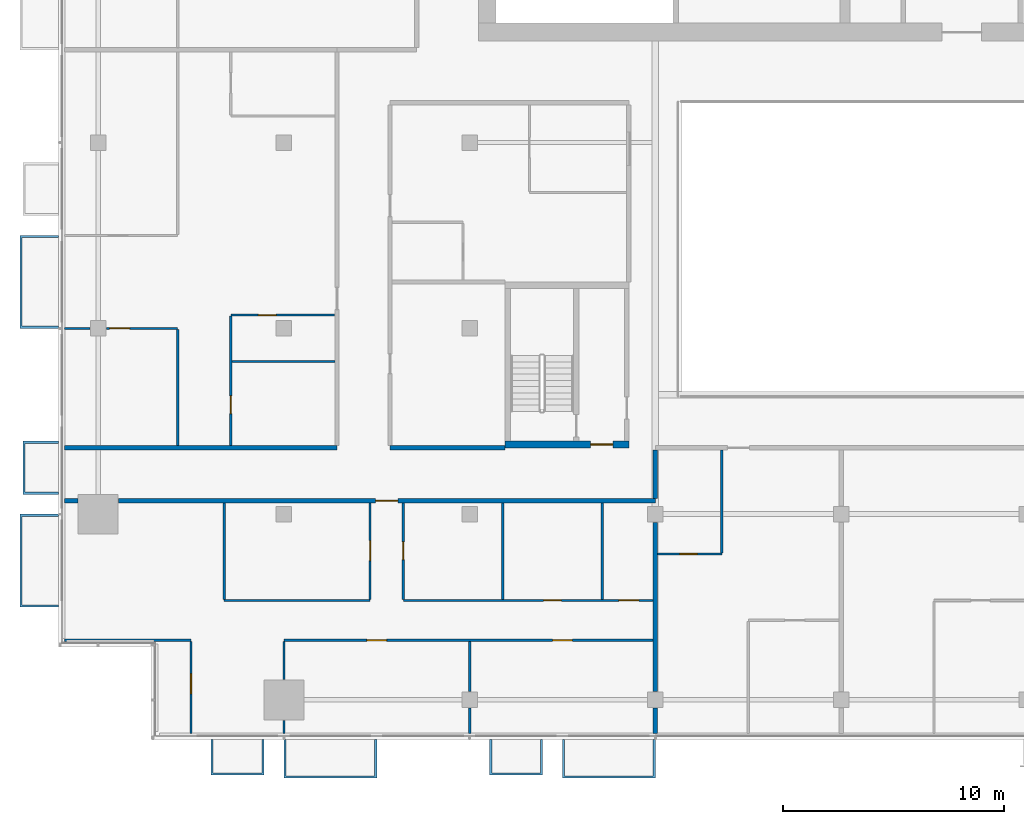
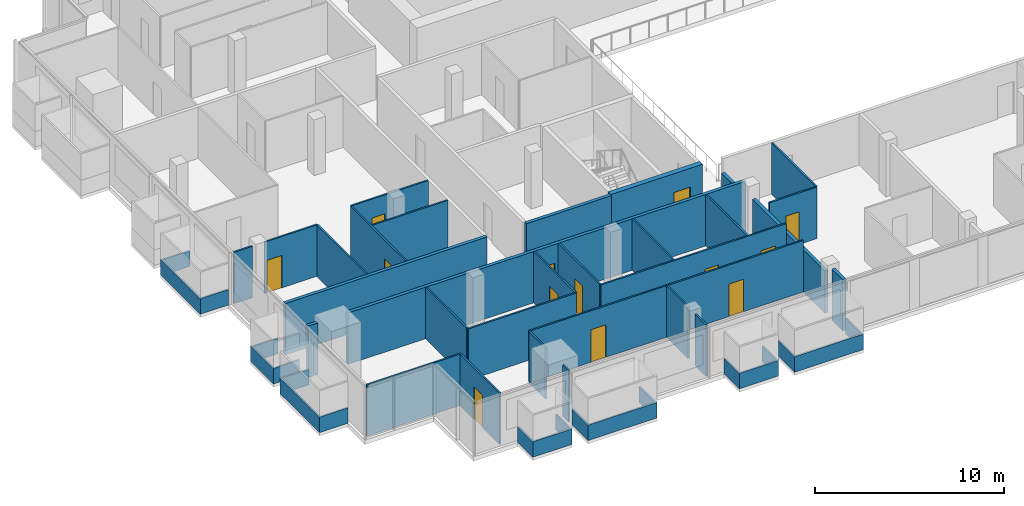
# One storey, part 17 of 28: 37 walls, 13 doors, 13 openings.
"""IFC4 building model written with IfcOpenShell, lengths in metres."""

from ifc_helpers import new_model, si_unit, direction, frame, frame_2d, origin, place, context, subcontext, project, spatial, polyline, rectangle, outline, extrude, material, layer, layer_set, type_object, element, fill, save


model = new_model("IFC4")

# Units and contexts
model_context = context("Model", 3, precision=1e-05, world=origin(), true_north=direction((0.0, 1.0)))
body_context = subcontext(model_context, "Body", "Model", "MODEL_VIEW")
ifc_project = project(units=[si_unit("LENGTHUNIT", "METRE"), si_unit("AREAUNIT", "SQUARE_METRE"), si_unit("VOLUMEUNIT", "CUBIC_METRE"), si_unit("PLANEANGLEUNIT", "RADIAN"), si_unit("MASSUNIT", "GRAM", prefix="KILO")], contexts=[model_context])

# Site, building, storey
site_placement = place(None, origin())
site = spatial("IfcSite", under=ifc_project, at=site_placement, CompositionType="ELEMENT")
building_placement = place(site_placement, origin())
building = spatial("IfcBuilding", under=site, at=building_placement, Name="Saffron Gate Tower", CompositionType="ELEMENT")
storey_placement = place(building_placement, frame((0.0, 0.0, 154.64990234375)))
storey = spatial("IfcBuildingStorey", under=building, at=storey_placement, Name="L37", CompositionType="ELEMENT", Elevation=154.64990234375)

# Wall, opening, door
ifc_material_1 = material(Name="Concrete C60", Category="concrete")
ifc_layer_1 = layer(ifc_material_1, 0.300048828125)
ifc_layer_set_1 = layer_set([ifc_layer_1], Name="CW17 RC core wall 300 C60")
wall_type_1 = type_object("IfcWallType", Name="CW17 RC core wall 300 C60", PredefinedType="SOLIDWALL", material=ifc_layer_set_1)
wall_1_placement = place(storey_placement, frame((68.199951171875, 43.35009765625, 0.0), z_axis=(0.0, 0.0, 1.0), x_axis=(1.0, 0.0, 0.0)))
wall_1 = element("IfcWall", 1, at=wall_1_placement, inside=storey, type_object=wall_type_1, Name="Wall CW17-L37-D-1", PredefinedType="SOLIDWALL", context=body_context, shape_type="SweptSolid", body=[
    extrude(rectangle(XDim=5.60009765625, YDim=0.300048828125, at=frame_2d((2.800048828125, 0.0))), origin(), (0.0, 0.0, 1.0), 3.320068359375),
])
opening_1_placement = place(wall_1_placement, frame((3.875, 0.0, 0.0)))
opening_1 = element("IfcOpeningElement", 2, at=opening_1_placement, cuts=wall_1, Name="Opening CR-18", PredefinedType="OPENING", context=body_context, shape_type="SweptSolid", body=[
    extrude(rectangle(XDim=1.0, YDim=2.10009765625, at=frame_2d((0.5, 1.050048828125))), frame((0.0, 0.16015625, 0.0), z_axis=(0.0, -1.0, 0.0), x_axis=(1.0, 0.0, 0.0)), (0.0, 0.0, 1.0), 0.320068359375),
])
ifc_material_2 = material(Name="Steel fire door set", Category="steel")
door_type_1 = type_object("IfcDoorType", Name="CD4 Lobby door 1000x2100 EI 120", OperationType="NOTDEFINED", PredefinedType="DOOR", material=ifc_material_2)
door_1_placement = place(opening_1_placement, origin())
door_1 = element("IfcDoor", 3, at=door_1_placement, inside=storey, type_object=door_type_1, Name="DOOR CR-18", OperationType="SINGLE_SWING_RIGHT", OverallHeight=2.10009765625, OverallWidth=1.0, PredefinedType="DOOR", context=body_context, shape_type="SweptSolid", body=[
    extrude(rectangle(XDim=1.0, YDim=2.10009765625, at=frame_2d((0.5, 1.050048828125))), frame((0.0, 0.02490234375, 0.0), z_axis=(0.0, -1.0, 0.0), x_axis=(1.0, 0.0, 0.0)), (0.0, 0.0, 1.0), 0.050048828125),
])
fill(opening_1, door_1)

# Wall
ifc_material_3 = material(Name="Plasterboard on steel studs", Category="steel")
ifc_layer_2 = layer(ifc_material_3, 0.10009765625)
ifc_layer_set_2 = layer_set([ifc_layer_2], Name="PW1 Partition 100")
wall_type_2 = type_object("IfcWallType", Name="PW1 Partition 100", PredefinedType="PARTITIONING", material=ifc_layer_set_2)
wall_2_placement = place(storey_placement, frame((48.280029296875, 34.5, 0.0), z_axis=(0.0, 0.0, 1.0), x_axis=(1.0, 0.0, 0.0)))
element("IfcWall", 4, at=wall_2_placement, inside=storey, type_object=wall_type_2, Name="Partition C1-1", PredefinedType="PARTITIONING", context=body_context, shape_type="SweptSolid", body=[
    extrude(rectangle(XDim=5.719970703125, YDim=0.10009765625, at=frame_2d((2.85986328125, 0.0))), origin(), (0.0, 0.0, 1.0), 3.320068359375),
])

# Wall, openings, doors
wall_3_placement = place(storey_placement, frame((74.89990234375, 34.5, 0.0), z_axis=(0.0, 0.0, 1.0), x_axis=(-1.0, 0.0, 0.0)))
wall_3 = element("IfcWall", 5, at=wall_3_placement, inside=storey, type_object=wall_type_2, Name="Partition C1-2", PredefinedType="PARTITIONING", context=body_context, shape_type="SweptSolid", body=[
    extrude(rectangle(XDim=16.699951171875, YDim=0.10009765625, at=frame_2d((8.35009765625, 0.0))), origin(), (0.0, 0.0, 1.0), 3.320068359375),
])
opening_2_placement = place(wall_3_placement, frame((3.64990234375, 0.0, 0.0)))
opening_2 = element("IfcOpeningElement", 6, at=opening_2_placement, cuts=wall_3, Name="Opening C1-13", PredefinedType="OPENING", context=body_context, shape_type="SweptSolid", body=[
    extrude(rectangle(XDim=0.89990234375, YDim=2.10009765625, at=frame_2d((0.449951171875, 1.050048828125))), frame((0.0, 0.06005859375, 0.0), z_axis=(0.0, -1.0, 0.0), x_axis=(1.0, 0.0, 0.0)), (0.0, 0.0, 1.0), 0.1201171875),
])
opening_3_placement = place(wall_3_placement, frame((12.050048828125, 0.0, 0.0)))
opening_3 = element("IfcOpeningElement", 7, at=opening_3_placement, cuts=wall_3, Name="Opening C1-12", PredefinedType="OPENING", context=body_context, shape_type="SweptSolid", body=[
    extrude(rectangle(XDim=0.89990234375, YDim=2.10009765625, at=frame_2d((0.449951171875, 1.050048828125))), frame((0.0, 0.06005859375, 0.0), z_axis=(0.0, -1.0, 0.0), x_axis=(1.0, 0.0, 0.0)), (0.0, 0.0, 1.0), 0.1201171875),
])
ifc_material_4 = material(Name="Timber door set", Category="wood")
door_type_2 = type_object("IfcDoorType", Name="RD1 Room door 900x2100", OperationType="NOTDEFINED", PredefinedType="DOOR", material=ifc_material_4)
door_2_placement = place(opening_2_placement, origin())
door_2 = element("IfcDoor", 8, at=door_2_placement, inside=storey, type_object=door_type_2, Name="Door C1-13", OperationType="SINGLE_SWING_LEFT", OverallHeight=2.10009765625, OverallWidth=0.89990234375, PredefinedType="DOOR", context=body_context, shape_type="SweptSolid", body=[
    extrude(rectangle(XDim=0.89990234375, YDim=2.10009765625, at=frame_2d((0.449951171875, 1.050048828125))), frame((0.0, 0.02490234375, 0.0), z_axis=(0.0, -1.0, 0.0), x_axis=(1.0, 0.0, 0.0)), (0.0, 0.0, 1.0), 0.050048828125),
])
fill(opening_2, door_2)
door_3_placement = place(opening_3_placement, origin())
door_3 = element("IfcDoor", 9, at=door_3_placement, inside=storey, type_object=door_type_2, Name="Door C1-12", OperationType="SINGLE_SWING_RIGHT", OverallHeight=2.10009765625, OverallWidth=0.89990234375, PredefinedType="DOOR", context=body_context, shape_type="SweptSolid", body=[
    extrude(rectangle(XDim=0.89990234375, YDim=2.10009765625, at=frame_2d((0.449951171875, 1.050048828125))), frame((0.0, 0.02490234375, 0.0), z_axis=(0.0, -1.0, 0.0), x_axis=(1.0, 0.0, 0.0)), (0.0, 0.0, 1.0), 0.050048828125),
])
fill(opening_3, door_3)

# Wall
wall_4_placement = place(storey_placement, frame((55.5, 36.300048828125, 0.0), z_axis=(0.0, 0.0, 1.0), x_axis=(1.0, 0.0, 0.0)))
element("IfcWall", 10, at=wall_4_placement, inside=storey, type_object=wall_type_2, Name="Partition C1-6", PredefinedType="PARTITIONING", context=body_context, shape_type="SweptSolid", body=[
    extrude(rectangle(XDim=6.60009765625, YDim=0.10009765625, at=frame_2d((3.300048828125, 0.0))), origin(), (0.0, 0.0, 1.0), 3.320068359375),
])

# Wall, openings, doors
wall_5_placement = place(storey_placement, frame((63.60009765625, 36.300048828125, 0.0), z_axis=(0.0, 0.0, 1.0), x_axis=(1.0, 0.0, 0.0)))
wall_5 = element("IfcWall", 11, at=wall_5_placement, inside=storey, type_object=wall_type_2, Name="Partition C1-7", PredefinedType="PARTITIONING", context=body_context, shape_type="SweptSolid", body=[
    extrude(rectangle(XDim=11.2998046875, YDim=0.10009765625, at=frame_2d((5.64990234375, 0.0))), origin(), (0.0, 0.0, 1.0), 3.320068359375),
])
opening_4_placement = place(wall_5_placement, frame((6.35009765625, 0.0, 0.0)))
opening_4 = element("IfcOpeningElement", 12, at=opening_4_placement, cuts=wall_5, Name="Opening C1-40", PredefinedType="OPENING", context=body_context, shape_type="SweptSolid", body=[
    extrude(rectangle(XDim=0.800048828125, YDim=2.10009765625, at=frame_2d((0.39990234375, 1.050048828125))), frame((0.0, 0.06005859375, 0.0), z_axis=(0.0, -1.0, 0.0), x_axis=(1.0, 0.0, 0.0)), (0.0, 0.0, 1.0), 0.1201171875),
])
opening_5_placement = place(wall_5_placement, frame((9.75, 0.0, 0.0)))
opening_5 = element("IfcOpeningElement", 13, at=opening_5_placement, cuts=wall_5, Name="Opening C1-15", PredefinedType="OPENING", context=body_context, shape_type="SweptSolid", body=[
    extrude(rectangle(XDim=0.89990234375, YDim=2.10009765625, at=frame_2d((0.449951171875, 1.050048828125))), frame((0.0, 0.06005859375, 0.0), z_axis=(0.0, -1.0, 0.0), x_axis=(1.0, 0.0, 0.0)), (0.0, 0.0, 1.0), 0.1201171875),
])
door_4_placement = place(opening_5_placement, origin())
door_4 = element("IfcDoor", 14, at=door_4_placement, inside=storey, type_object=door_type_2, Name="Door C1-15", OperationType="SINGLE_SWING_RIGHT", OverallHeight=2.10009765625, OverallWidth=0.89990234375, PredefinedType="DOOR", context=body_context, shape_type="SweptSolid", body=[
    extrude(rectangle(XDim=0.89990234375, YDim=2.10009765625, at=frame_2d((0.449951171875, 1.050048828125))), frame((0.0, 0.02490234375, 0.0), z_axis=(0.0, -1.0, 0.0), x_axis=(1.0, 0.0, 0.0)), (0.0, 0.0, 1.0), 0.050048828125),
])
fill(opening_5, door_4)
door_type_3 = type_object("IfcDoorType", Name="RD2 Bathroom door 800x2100", OperationType="NOTDEFINED", PredefinedType="DOOR", material=ifc_material_4)
door_5_placement = place(opening_4_placement, origin())
door_5 = element("IfcDoor", 15, at=door_5_placement, inside=storey, type_object=door_type_3, Name="Door C1-40", OperationType="SINGLE_SWING_RIGHT", OverallHeight=2.10009765625, OverallWidth=0.800048828125, PredefinedType="DOOR", context=body_context, shape_type="SweptSolid", body=[
    extrude(rectangle(XDim=0.800048828125, YDim=2.10009765625, at=frame_2d((0.39990234375, 1.050048828125))), frame((0.0, 0.02490234375, 0.0), z_axis=(0.0, -1.0, 0.0), x_axis=(1.0, 0.0, 0.0)), (0.0, 0.0, 1.0), 0.050048828125),
])
fill(opening_4, door_5)

# Wall, opening, door
wall_6_placement = place(storey_placement, frame((75.10009765625, 38.39990234375, 0.0), z_axis=(0.0, 0.0, 1.0), x_axis=(1.0, 0.0, 0.0)))
wall_6 = element("IfcWall", 16, at=wall_6_placement, inside=storey, type_object=wall_type_2, Name="Partition C1-9", PredefinedType="PARTITIONING", context=body_context, shape_type="SweptSolid", body=[
    extrude(rectangle(XDim=2.89990234375, YDim=0.10009765625, at=frame_2d((1.449951171875, 0.0))), origin(), (0.0, 0.0, 1.0), 3.320068359375),
])
opening_6_placement = place(wall_6_placement, frame((1.0, 0.0, 0.0)))
opening_6 = element("IfcOpeningElement", 17, at=opening_6_placement, cuts=wall_6, Name="Opening C1-41", PredefinedType="OPENING", context=body_context, shape_type="SweptSolid", body=[
    extrude(rectangle(XDim=0.800048828125, YDim=2.10009765625, at=frame_2d((0.39990234375, 1.050048828125))), frame((0.0, 0.06005859375, 0.0), z_axis=(0.0, -1.0, 0.0), x_axis=(1.0, 0.0, 0.0)), (0.0, 0.0, 1.0), 0.1201171875),
])
door_6_placement = place(opening_6_placement, origin())
door_6 = element("IfcDoor", 18, at=door_6_placement, inside=storey, type_object=door_type_3, Name="Door C1-41", OperationType="SINGLE_SWING_LEFT", OverallHeight=2.10009765625, OverallWidth=0.800048828125, PredefinedType="DOOR", context=body_context, shape_type="SweptSolid", body=[
    extrude(rectangle(XDim=0.800048828125, YDim=2.10009765625, at=frame_2d((0.39990234375, 1.050048828125))), frame((0.0, 0.02490234375, 0.0), z_axis=(0.0, -1.0, 0.0), x_axis=(1.0, 0.0, 0.0)), (0.0, 0.0, 1.0), 0.050048828125),
])
fill(opening_6, door_6)

# Walls
wall_7_placement = place(storey_placement, frame((55.85009765625, 47.10009765625, 0.0), z_axis=(0.0, 0.0, 1.0), x_axis=(1.0, 0.0, 0.0)))
element("IfcWall", 19, at=wall_7_placement, inside=storey, type_object=wall_type_2, Name="Partition C1-20", PredefinedType="PARTITIONING", context=body_context, shape_type="SweptSolid", body=[
    extrude(rectangle(XDim=4.64990234375, YDim=0.10009765625, at=frame_2d((2.324951171875, 0.0))), origin(), (0.0, 0.0, 1.0), 3.320068359375),
])
wall_8_placement = place(storey_placement, frame((48.280029296875, 48.60009765625, 0.0), z_axis=(0.0, 0.0, 1.0), x_axis=(1.0, 0.0, 0.0)))
element("IfcWall", 20, at=wall_8_placement, inside=storey, type_object=wall_type_2, Name="Partition C1-21", PredefinedType="PARTITIONING", context=body_context, shape_type="SweptSolid", body=[
    extrude(rectangle(XDim=1.14990234375, YDim=0.10009765625, at=frame_2d((0.574951171875, 0.0))), origin(), (0.0, 0.0, 1.0), 3.320068359375),
])

# Wall, opening, door
wall_9_placement = place(storey_placement, frame((53.39990234375, 48.60009765625, 0.0), z_axis=(0.0, 0.0, 1.0), x_axis=(-1.0, 0.0, 0.0)))
wall_9 = element("IfcWall", 21, at=wall_9_placement, inside=storey, type_object=wall_type_2, Name="Partition C1-22", PredefinedType="PARTITIONING", context=body_context, shape_type="SweptSolid", body=[
    extrude(rectangle(XDim=3.22998046875, YDim=0.10009765625, at=frame_2d((1.614990234375, 0.0))), origin(), (0.0, 0.0, 1.0), 3.320068359375),
])
opening_7_placement = place(wall_9_placement, frame((2.179931640625, 0.0, 0.0)))
opening_7 = element("IfcOpeningElement", 22, at=opening_7_placement, cuts=wall_9, Name="Opening C1-25", PredefinedType="OPENING", context=body_context, shape_type="SweptSolid", body=[
    extrude(rectangle(XDim=0.89990234375, YDim=2.10009765625, at=frame_2d((0.449951171875, 1.050048828125))), frame((0.0, 0.06005859375, 0.0), z_axis=(0.0, -1.0, 0.0), x_axis=(1.0, 0.0, 0.0)), (0.0, 0.0, 1.0), 0.1201171875),
])
door_7_placement = place(opening_7_placement, origin())
door_7 = element("IfcDoor", 23, at=door_7_placement, inside=storey, type_object=door_type_2, Name="Door C1-25", OperationType="SINGLE_SWING_RIGHT", OverallHeight=2.10009765625, OverallWidth=0.89990234375, PredefinedType="DOOR", context=body_context, shape_type="SweptSolid", body=[
    extrude(rectangle(XDim=0.89990234375, YDim=2.10009765625, at=frame_2d((0.449951171875, 1.050048828125))), frame((0.0, 0.02490234375, 0.0), z_axis=(0.0, -1.0, 0.0), x_axis=(1.0, 0.0, 0.0)), (0.0, 0.0, 1.0), 0.050048828125),
])
fill(opening_7, door_7)

wall_10_placement = place(storey_placement, frame((60.5, 49.199951171875, 0.0), z_axis=(0.0, 0.0, 1.0), x_axis=(-1.0, 0.0, 0.0)))
wall_10 = element("IfcWall", 24, at=wall_10_placement, inside=storey, type_object=wall_type_2, Name="Partition C1-25", PredefinedType="PARTITIONING", context=body_context, shape_type="SweptSolid", body=[
    extrude(rectangle(XDim=4.699951171875, YDim=0.10009765625, at=frame_2d((2.35009765625, 0.0))), origin(), (0.0, 0.0, 1.0), 3.320068359375),
])
opening_8_placement = place(wall_10_placement, frame((2.64990234375, 0.0, 0.0)))
opening_8 = element("IfcOpeningElement", 25, at=opening_8_placement, cuts=wall_10, Name="Opening C1-47", PredefinedType="OPENING", context=body_context, shape_type="SweptSolid", body=[
    extrude(rectangle(XDim=0.800048828125, YDim=2.10009765625, at=frame_2d((0.39990234375, 1.050048828125))), frame((0.0, 0.06005859375, 0.0), z_axis=(0.0, -1.0, 0.0), x_axis=(1.0, 0.0, 0.0)), (0.0, 0.0, 1.0), 0.1201171875),
])
door_8_placement = place(opening_8_placement, origin())
door_8 = element("IfcDoor", 26, at=door_8_placement, inside=storey, type_object=door_type_3, Name="Door C1-47", OperationType="SINGLE_SWING_RIGHT", OverallHeight=2.10009765625, OverallWidth=0.800048828125, PredefinedType="DOOR", context=body_context, shape_type="SweptSolid", body=[
    extrude(rectangle(XDim=0.800048828125, YDim=2.10009765625, at=frame_2d((0.39990234375, 1.050048828125))), frame((0.0, 0.02490234375, 0.0), z_axis=(0.0, -1.0, 0.0), x_axis=(1.0, 0.0, 0.0)), (0.0, 0.0, 1.0), 0.050048828125),
])
fill(opening_8, door_8)

# Wall
wall_11_placement = place(storey_placement, frame((53.39990234375, 48.550048828125, 0.0), z_axis=(0.0, 0.0, 1.0), x_axis=(0.0, -1.0, 0.0)))
element("IfcWall", 27, at=wall_11_placement, inside=storey, type_object=wall_type_2, Name="Partition C1-57", PredefinedType="PARTITIONING", context=body_context, shape_type="SweptSolid", body=[
    extrude(rectangle(XDim=5.25, YDim=0.10009765625, at=frame_2d((2.625, 0.0))), origin(), (0.0, 0.0, 1.0), 3.320068359375),
])

# Wall, opening, door
wall_12_placement = place(storey_placement, frame((54.0, 30.280029296875, 0.0), z_axis=(0.0, 0.0, 1.0), x_axis=(0.0, 1.0, 0.0)))
wall_12 = element("IfcWall", 28, at=wall_12_placement, inside=storey, type_object=wall_type_2, Name="Partition C1-58", PredefinedType="PARTITIONING", context=body_context, shape_type="SweptSolid", body=[
    extrude(rectangle(XDim=4.169921875, YDim=0.10009765625, at=frame_2d((2.0849609375, 0.0))), origin(), (0.0, 0.0, 1.0), 3.320068359375),
])
opening_9_placement = place(wall_12_placement, frame((1.802734375, 0.0, 0.0)))
opening_9 = element("IfcOpeningElement", 29, at=opening_9_placement, cuts=wall_12, Name="Opening C1-11", PredefinedType="OPENING", context=body_context, shape_type="SweptSolid", body=[
    extrude(rectangle(XDim=0.89990234375, YDim=2.10009765625, at=frame_2d((0.449951171875, 1.050048828125))), frame((0.0, 0.06005859375, 0.0), z_axis=(0.0, -1.0, 0.0), x_axis=(1.0, 0.0, 0.0)), (0.0, 0.0, 1.0), 0.1201171875),
])
door_9_placement = place(opening_9_placement, origin())
door_9 = element("IfcDoor", 30, at=door_9_placement, inside=storey, type_object=door_type_2, Name="Door C1-11", OperationType="SINGLE_SWING_RIGHT", OverallHeight=2.10009765625, OverallWidth=0.89990234375, PredefinedType="DOOR", context=body_context, shape_type="SweptSolid", body=[
    extrude(rectangle(XDim=0.89990234375, YDim=2.10009765625, at=frame_2d((0.449951171875, 1.050048828125))), frame((0.0, 0.02490234375, 0.0), z_axis=(0.0, -1.0, 0.0), x_axis=(1.0, 0.0, 0.0)), (0.0, 0.0, 1.0), 0.050048828125),
])
fill(opening_9, door_9)

# Wall
wall_13_placement = place(storey_placement, frame((55.5, 40.699951171875, 0.0), z_axis=(0.0, 0.0, 1.0), x_axis=(0.0, -1.0, 0.0)))
element("IfcWall", 31, at=wall_13_placement, inside=storey, type_object=wall_type_2, Name="Partition C1-59", PredefinedType="PARTITIONING", context=body_context, shape_type="SweptSolid", body=[
    extrude(rectangle(XDim=4.349853515625, YDim=0.10009765625, at=frame_2d((2.1748046875, 0.0))), origin(), (0.0, 0.0, 1.0), 3.320068359375),
])

# Wall, opening, door
wall_14_placement = place(storey_placement, frame((55.800048828125, 49.14990234375, 0.0), z_axis=(0.0, 0.0, 1.0), x_axis=(0.0, -1.0, 0.0)))
wall_14 = element("IfcWall", 32, at=wall_14_placement, inside=storey, type_object=wall_type_2, Name="Partition C1-60", PredefinedType="PARTITIONING", context=body_context, shape_type="SweptSolid", body=[
    extrude(rectangle(XDim=5.849853515625, YDim=0.10009765625, at=frame_2d((2.9248046875, 0.0))), origin(), (0.0, 0.0, 1.0), 3.320068359375),
])
opening_10_placement = place(wall_14_placement, frame((3.60009765625, 0.0, 0.0)))
opening_10 = element("IfcOpeningElement", 33, at=opening_10_placement, cuts=wall_14, Name="Opening C1-46", PredefinedType="OPENING", context=body_context, shape_type="SweptSolid", body=[
    extrude(rectangle(XDim=0.800048828125, YDim=2.10009765625, at=frame_2d((0.39990234375, 1.050048828125))), frame((0.0, 0.06005859375, 0.0), z_axis=(0.0, -1.0, 0.0), x_axis=(1.0, 0.0, 0.0)), (0.0, 0.0, 1.0), 0.1201171875),
])
door_10_placement = place(opening_10_placement, origin())
door_10 = element("IfcDoor", 34, at=door_10_placement, inside=storey, type_object=door_type_3, Name="Door C1-46", OperationType="SINGLE_SWING_RIGHT", OverallHeight=2.10009765625, OverallWidth=0.800048828125, PredefinedType="DOOR", context=body_context, shape_type="SweptSolid", body=[
    extrude(rectangle(XDim=0.800048828125, YDim=2.10009765625, at=frame_2d((0.39990234375, 1.050048828125))), frame((0.0, 0.02490234375, 0.0), z_axis=(0.0, -1.0, 0.0), x_axis=(1.0, 0.0, 0.0)), (0.0, 0.0, 1.0), 0.050048828125),
])
fill(opening_10, door_10)

# Walls
wall_15_placement = place(storey_placement, frame((58.199951171875, 30.8798828125, 0.0), z_axis=(0.0, 0.0, 1.0), x_axis=(0.0, -1.0, 0.0)))
element("IfcWall", 35, at=wall_15_placement, inside=storey, type_object=wall_type_2, Name="Partition C1-64", PredefinedType="PARTITIONING", context=body_context, shape_type="SweptSolid", body=[
    extrude(rectangle(XDim=0.599853515625, YDim=0.10009765625, at=frame_2d((0.2998046875, 0.0))), origin(), (0.0, 0.0, 1.0), 3.320068359375),
])
wall_16_placement = place(storey_placement, frame((58.199951171875, 34.449951171875, 0.0), z_axis=(0.0, 0.0, 1.0), x_axis=(0.0, -1.0, 0.0)))
element("IfcWall", 36, at=wall_16_placement, inside=storey, type_object=wall_type_2, Name="Partition C1-65", PredefinedType="PARTITIONING", context=body_context, shape_type="SweptSolid", body=[
    extrude(rectangle(XDim=1.72998046875, YDim=0.10009765625, at=frame_2d((0.864990234375, 0.0))), origin(), (0.0, 0.0, 1.0), 3.320068359375),
])

# Wall, opening, door
wall_17_placement = place(storey_placement, frame((62.10009765625, 36.35009765625, 0.0), z_axis=(0.0, 0.0, 1.0), x_axis=(0.0, 1.0, 0.0)))
wall_17 = element("IfcWall", 37, at=wall_17_placement, inside=storey, type_object=wall_type_2, Name="Partition C1-67", PredefinedType="PARTITIONING", context=body_context, shape_type="SweptSolid", body=[
    extrude(rectangle(XDim=4.349853515625, YDim=0.10009765625, at=frame_2d((2.1748046875, 0.0))), origin(), (0.0, 0.0, 1.0), 3.320068359375),
])
opening_11_placement = place(wall_17_placement, frame((1.75, 0.0, 0.0)))
opening_11 = element("IfcOpeningElement", 38, at=opening_11_placement, cuts=wall_17, Name="Opening C1-14", PredefinedType="OPENING", context=body_context, shape_type="SweptSolid", body=[
    extrude(rectangle(XDim=0.89990234375, YDim=2.10009765625, at=frame_2d((0.449951171875, 1.050048828125))), frame((0.0, 0.06005859375, 0.0), z_axis=(0.0, -1.0, 0.0), x_axis=(1.0, 0.0, 0.0)), (0.0, 0.0, 1.0), 0.1201171875),
])
door_11_placement = place(opening_11_placement, origin())
door_11 = element("IfcDoor", 39, at=door_11_placement, inside=storey, type_object=door_type_2, Name="Door C1-14", OperationType="SINGLE_SWING_RIGHT", OverallHeight=2.10009765625, OverallWidth=0.89990234375, PredefinedType="DOOR", context=body_context, shape_type="SweptSolid", body=[
    extrude(rectangle(XDim=0.89990234375, YDim=2.10009765625, at=frame_2d((0.449951171875, 1.050048828125))), frame((0.0, 0.02490234375, 0.0), z_axis=(0.0, -1.0, 0.0), x_axis=(1.0, 0.0, 0.0)), (0.0, 0.0, 1.0), 0.050048828125),
])
fill(opening_11, door_11)

wall_18_placement = place(storey_placement, frame((63.60009765625, 40.699951171875, 0.0), z_axis=(0.0, 0.0, 1.0), x_axis=(0.0, -1.0, 0.0)))
wall_18 = element("IfcWall", 40, at=wall_18_placement, inside=storey, type_object=wall_type_2, Name="Partition C1-69", PredefinedType="PARTITIONING", context=body_context, shape_type="SweptSolid", body=[
    extrude(rectangle(XDim=4.349853515625, YDim=0.10009765625, at=frame_2d((2.1748046875, 0.0))), origin(), (0.0, 0.0, 1.0), 3.320068359375),
])
opening_12_placement = place(wall_18_placement, frame((1.75, 0.0, 0.0)))
opening_12 = element("IfcOpeningElement", 41, at=opening_12_placement, cuts=wall_18, Name="Opening C1-39", PredefinedType="OPENING", context=body_context, shape_type="SweptSolid", body=[
    extrude(rectangle(XDim=0.800048828125, YDim=2.10009765625, at=frame_2d((0.39990234375, 1.050048828125))), frame((0.0, 0.06005859375, 0.0), z_axis=(0.0, -1.0, 0.0), x_axis=(1.0, 0.0, 0.0)), (0.0, 0.0, 1.0), 0.1201171875),
])
door_12_placement = place(opening_12_placement, origin())
door_12 = element("IfcDoor", 42, at=door_12_placement, inside=storey, type_object=door_type_3, Name="Door C1-39", OperationType="SINGLE_SWING_LEFT", OverallHeight=2.10009765625, OverallWidth=0.800048828125, PredefinedType="DOOR", context=body_context, shape_type="SweptSolid", body=[
    extrude(rectangle(XDim=0.800048828125, YDim=2.10009765625, at=frame_2d((0.39990234375, 1.050048828125))), frame((0.0, 0.02490234375, 0.0), z_axis=(0.0, -1.0, 0.0), x_axis=(1.0, 0.0, 0.0)), (0.0, 0.0, 1.0), 0.050048828125),
])
fill(opening_12, door_12)

# Walls
wall_19_placement = place(storey_placement, frame((66.60009765625, 31.429931640625, 0.0), z_axis=(0.0, 0.0, 1.0), x_axis=(0.0, -1.0, 0.0)))
element("IfcWall", 43, at=wall_19_placement, inside=storey, type_object=wall_type_2, Name="Partition C1-72", PredefinedType="PARTITIONING", context=body_context, shape_type="SweptSolid", body=[
    extrude(rectangle(XDim=1.14990234375, YDim=0.10009765625, at=frame_2d((0.574951171875, 0.0))), origin(), (0.0, 0.0, 1.0), 3.320068359375),
])
wall_20_placement = place(storey_placement, frame((66.60009765625, 34.449951171875, 0.0), z_axis=(0.0, 0.0, 1.0), x_axis=(0.0, -1.0, 0.0)))
element("IfcWall", 44, at=wall_20_placement, inside=storey, type_object=wall_type_2, Name="Partition C1-73", PredefinedType="PARTITIONING", context=body_context, shape_type="SweptSolid", body=[
    extrude(rectangle(XDim=2.280029296875, YDim=0.10009765625, at=frame_2d((1.14013671875, 0.0))), origin(), (0.0, 0.0, 1.0), 3.320068359375),
])
for number, where, z_axis, x_axis, name in (
    (45, (68.10009765625, 40.699951171875, 0.0), (0.0, 0.0, 1.0), (0.0, -1.0, 0.0), "Partition C1-74"),
    (46, (72.60009765625, 40.699951171875, 0.0), (0.0, 0.0, 1.0), (0.0, -1.0, 0.0), "Partition C1-76"),
):
    element("IfcWall", number, at=place(storey_placement, frame(where, z_axis=z_axis, x_axis=x_axis)), inside=storey, type_object=wall_type_2, Name=name, PredefinedType="PARTITIONING", context=body_context, shape_type="SweptSolid", body=[
        extrude(rectangle(XDim=4.349853515625, YDim=0.10009765625, at=frame_2d((2.1748046875, 0.0))), origin(), (0.0, 0.0, 1.0), 3.320068359375),
    ])
wall_21_placement = place(storey_placement, frame((78.0, 43.10009765625, 0.0), z_axis=(0.0, 0.0, 1.0), x_axis=(0.0, -1.0, 0.0)))
element("IfcWall", 47, at=wall_21_placement, inside=storey, type_object=wall_type_2, Name="Partition C1-81", PredefinedType="PARTITIONING", context=body_context, shape_type="SweptSolid", body=[
    extrude(rectangle(XDim=4.650146484375, YDim=0.10009765625, at=frame_2d((2.3251953125, 0.0))), origin(), (0.0, 0.0, 1.0), 3.320068359375),
])
ifc_material_5 = material(Name="Clay brick masonry, rendered", Category="masonry")
ifc_layer_3 = layer(ifc_material_5, 0.199951171875)
ifc_layer_set_3 = layer_set([ifc_layer_3], Name="PW2 Demising wall 200")
wall_type_3 = type_object("IfcWallType", Name="PW2 Demising wall 200", PredefinedType="PARTITIONING", material=ifc_layer_set_3)
wall_22_placement = place(storey_placement, frame((75.0, 31.429931640625, 0.0), z_axis=(0.0, 0.0, 1.0), x_axis=(0.0, -1.0, 0.0)))
element("IfcWall", 48, at=wall_22_placement, inside=storey, type_object=wall_type_3, Name="Wall C1-79", PredefinedType="PARTITIONING", context=body_context, shape_type="SweptSolid", body=[
    extrude(rectangle(XDim=1.14990234375, YDim=0.199951171875, at=frame_2d((0.574951171875, 0.0))), origin(), (0.0, 0.0, 1.0), 3.320068359375),
])
wall_23_placement = place(storey_placement, frame((75.0, 39.830078125, 0.0), z_axis=(0.0, 0.0, 1.0), x_axis=(0.0, -1.0, 0.0)))
element("IfcWall", 49, at=wall_23_placement, inside=storey, type_object=wall_type_3, Name="Wall C1-80", PredefinedType="PARTITIONING", context=body_context, shape_type="SweptSolid", body=[
    extrude(rectangle(XDim=7.66015625, YDim=0.199951171875, at=frame_2d((3.830078125, 0.0))), origin(), (0.0, 0.0, 1.0), 2.72021484375),
])
ifc_layer_4 = layer(ifc_material_5, 0.199951171875)
ifc_layer_set_4 = layer_set([ifc_layer_4], Name="PW3 Corridor wall 200")
wall_type_4 = type_object("IfcWallType", Name="PW3 Corridor wall 200", PredefinedType="PARTITIONING", material=ifc_layer_set_4)
wall_24_placement = place(storey_placement, frame((48.280029296875, 40.800048828125, 0.0), z_axis=(0.0, 0.0, 1.0), x_axis=(1.0, 0.0, 0.0)))
element("IfcWall", 50, at=wall_24_placement, inside=storey, type_object=wall_type_4, Name="Wall C1-11", PredefinedType="PARTITIONING", context=body_context, shape_type="SweptSolid", body=[
    extrude(rectangle(XDim=0.599853515625, YDim=0.199951171875, at=frame_2d((0.2998046875, 0.0))), origin(), (0.0, 0.0, 1.0), 3.320068359375),
])

# Wall, opening, door
wall_25_placement = place(storey_placement, frame((75.0, 40.800048828125, 0.0), z_axis=(0.0, 0.0, 1.0), x_axis=(-1.0, 0.0, 0.0)))
wall_25 = element("IfcWall", 51, at=wall_25_placement, inside=storey, type_object=wall_type_4, Name="Wall C1-12", PredefinedType="PARTITIONING", context=body_context, shape_type="SweptSolid", body=[
    extrude(rectangle(XDim=24.280029296875, YDim=0.199951171875, at=frame_2d((12.14013671875, 0.0))), origin(), (0.0, 0.0, 1.0), 3.320068359375),
])
opening_13_placement = place(wall_25_placement, frame((11.64990234375, 0.0, 0.0)))
opening_13 = element("IfcOpeningElement", 52, at=opening_13_placement, cuts=wall_25, Name="Opening C1-1", PredefinedType="OPENING", context=body_context, shape_type="SweptSolid", body=[
    extrude(rectangle(XDim=1.0, YDim=2.10009765625, at=frame_2d((0.5, 1.050048828125))), frame((0.0, 0.10986328125, 0.0), z_axis=(0.0, -1.0, 0.0), x_axis=(1.0, 0.0, 0.0)), (0.0, 0.0, 1.0), 0.219970703125),
])
ifc_material_6 = material(Name="Timber fire door set", Category="wood")
door_type_4 = type_object("IfcDoorType", Name="FD1 Flat entry door 1000x2100", OperationType="NOTDEFINED", PredefinedType="DOOR", material=ifc_material_6)
door_13_placement = place(opening_13_placement, origin())
door_13 = element("IfcDoor", 53, at=door_13_placement, inside=storey, type_object=door_type_4, Name="Door C1-1", OperationType="SINGLE_SWING_LEFT", OverallHeight=2.10009765625, OverallWidth=1.0, PredefinedType="DOOR", context=body_context, shape_type="SweptSolid", body=[
    extrude(rectangle(XDim=1.0, YDim=2.10009765625, at=frame_2d((0.5, 1.050048828125))), frame((0.0, 0.02490234375, 0.0), z_axis=(0.0, -1.0, 0.0), x_axis=(1.0, 0.0, 0.0)), (0.0, 0.0, 1.0), 0.050048828125),
])
fill(opening_13, door_13)

# Walls
wall_26_placement = place(storey_placement, frame((48.280029296875, 43.199951171875, 0.0), z_axis=(0.0, 0.0, 1.0), x_axis=(1.0, 0.0, 0.0)))
element("IfcWall", 54, at=wall_26_placement, inside=storey, type_object=wall_type_4, Name="Wall C1-15", PredefinedType="PARTITIONING", context=body_context, shape_type="SweptSolid", body=[
    extrude(rectangle(XDim=12.320068359375, YDim=0.199951171875, at=frame_2d((6.16015625, 0.0))), origin(), (0.0, 0.0, 1.0), 3.320068359375),
])
wall_27_placement = place(storey_placement, frame((63.0, 43.199951171875, 0.0), z_axis=(0.0, 0.0, 1.0), x_axis=(1.0, 0.0, 0.0)))
element("IfcWall", 55, at=wall_27_placement, inside=storey, type_object=wall_type_4, Name="Wall C1-16", PredefinedType="PARTITIONING", context=body_context, shape_type="SweptSolid", body=[
    extrude(rectangle(XDim=5.199951171875, YDim=0.199951171875, at=frame_2d((2.60009765625, 0.0))), origin(), (0.0, 0.0, 1.0), 3.320068359375),
])
wall_28_placement = place(storey_placement, frame((75.0, 43.10009765625, 0.0), z_axis=(0.0, 0.0, 1.0), x_axis=(0.0, -1.0, 0.0)))
element("IfcWall", 56, at=wall_28_placement, inside=storey, type_object=wall_type_4, Name="Wall C1-78", PredefinedType="PARTITIONING", context=body_context, shape_type="SweptSolid", body=[
    extrude(rectangle(XDim=2.2001953125, YDim=0.199951171875, at=frame_2d((1.10009765625, 0.0))), origin(), (0.0, 0.0, 1.0), 2.43017578125),
])
ifc_material_7 = material(Name="Rendered insulated panel, white")
ifc_layer_5 = layer(ifc_material_7, 0.10009765625)
ifc_layer_set_5 = layer_set([ifc_layer_5], Name="WB3 box parapet white")
wall_type_5 = type_object("IfcWallType", Name="WB3 box parapet white", PredefinedType="SOLIDWALL", material=ifc_layer_set_5)
wall_29_placement = place(storey_placement, origin())
element("IfcWall", 57, at=wall_29_placement, inside=storey, type_object=wall_type_5, Name="WINDOW BOX parapet", PredefinedType="SOLIDWALL", context=body_context, shape_type="SweptSolid", body=[
    extrude(outline(polyline([(54.89990234375, 30.0), (55.0, 30.0), (55.0, 28.5), (57.199951171875, 28.5), (57.199951171875, 30.0), (57.300048828125, 30.0), (57.300048828125, 28.39990234375), (54.89990234375, 28.39990234375), (54.89990234375, 30.0)])), origin(), (0.0, 0.0, 1.0), 1.0),
])
wall_30_placement = place(storey_placement, origin())
element("IfcWall", 58, at=wall_30_placement, inside=storey, type_object=wall_type_5, Name="WINDOW BOX parapet", PredefinedType="SOLIDWALL", context=body_context, shape_type="SweptSolid", body=[
    extrude(outline(polyline([(58.199951171875, 30.0), (58.300048828125, 30.0), (58.300048828125, 28.366943359375), (62.300048828125, 28.366943359375), (62.300048828125, 30.0), (62.39990234375, 30.0), (62.39990234375, 28.26708984375), (58.199951171875, 28.26708984375), (58.199951171875, 30.0)])), origin(), (0.0, 0.0, 1.0), 1.0),
])
wall_31_placement = place(storey_placement, origin())
element("IfcWall", 59, at=wall_31_placement, inside=storey, type_object=wall_type_5, Name="WINDOW BOX parapet", PredefinedType="SOLIDWALL", context=body_context, shape_type="SweptSolid", body=[
    extrude(outline(polyline([(67.5, 30.0), (67.60009765625, 30.0), (67.60009765625, 28.5), (69.800048828125, 28.5), (69.800048828125, 30.0), (69.89990234375, 30.0), (69.89990234375, 28.39990234375), (67.5, 28.39990234375), (67.5, 30.0)])), origin(), (0.0, 0.0, 1.0), 1.0),
])
wall_32_placement = place(storey_placement, origin())
element("IfcWall", 60, at=wall_32_placement, inside=storey, type_object=wall_type_5, Name="WINDOW BOX parapet", PredefinedType="SOLIDWALL", context=body_context, shape_type="SweptSolid", body=[
    extrude(outline(polyline([(70.800048828125, 30.0), (70.89990234375, 30.0), (70.89990234375, 28.366943359375), (74.89990234375, 28.366943359375), (74.89990234375, 30.0), (75.0, 30.0), (75.0, 28.26708984375), (70.800048828125, 28.26708984375), (70.800048828125, 30.0)])), origin(), (0.0, 0.0, 1.0), 1.0),
])
wall_33_placement = place(storey_placement, origin())
element("IfcWall", 61, at=wall_33_placement, inside=storey, type_object=wall_type_5, Name="WINDOW BOX parapet", PredefinedType="SOLIDWALL", context=body_context, shape_type="SweptSolid", body=[
    extrude(outline(polyline([(48.0, 52.800048828125), (48.0, 52.699951171875), (46.366943359375, 52.699951171875), (46.366943359375, 48.699951171875), (48.0, 48.699951171875), (48.0, 48.60009765625), (46.26708984375, 48.60009765625), (46.26708984375, 52.800048828125), (48.0, 52.800048828125)])), origin(), (0.0, 0.0, 1.0), 1.0),
])
wall_34_placement = place(storey_placement, origin())
element("IfcWall", 62, at=wall_34_placement, inside=storey, type_object=wall_type_5, Name="WINDOW BOX parapet", PredefinedType="SOLIDWALL", context=body_context, shape_type="SweptSolid", body=[
    extrude(outline(polyline([(48.0, 43.5), (48.0, 43.39990234375), (46.5, 43.39990234375), (46.5, 41.199951171875), (48.0, 41.199951171875), (48.0, 41.10009765625), (46.39990234375, 41.10009765625), (46.39990234375, 43.5), (48.0, 43.5)])), origin(), (0.0, 0.0, 1.0), 1.0),
])
wall_35_placement = place(storey_placement, origin())
element("IfcWall", 63, at=wall_35_placement, inside=storey, type_object=wall_type_5, Name="WINDOW BOX parapet", PredefinedType="SOLIDWALL", context=body_context, shape_type="SweptSolid", body=[
    extrude(outline(polyline([(48.0, 40.199951171875), (48.0, 40.10009765625), (46.366943359375, 40.10009765625), (46.366943359375, 36.10009765625), (48.0, 36.10009765625), (48.0, 36.0), (46.26708984375, 36.0), (46.26708984375, 40.199951171875), (48.0, 40.199951171875)])), origin(), (0.0, 0.0, 1.0), 1.0),
])

save(model, "model.ifc")
